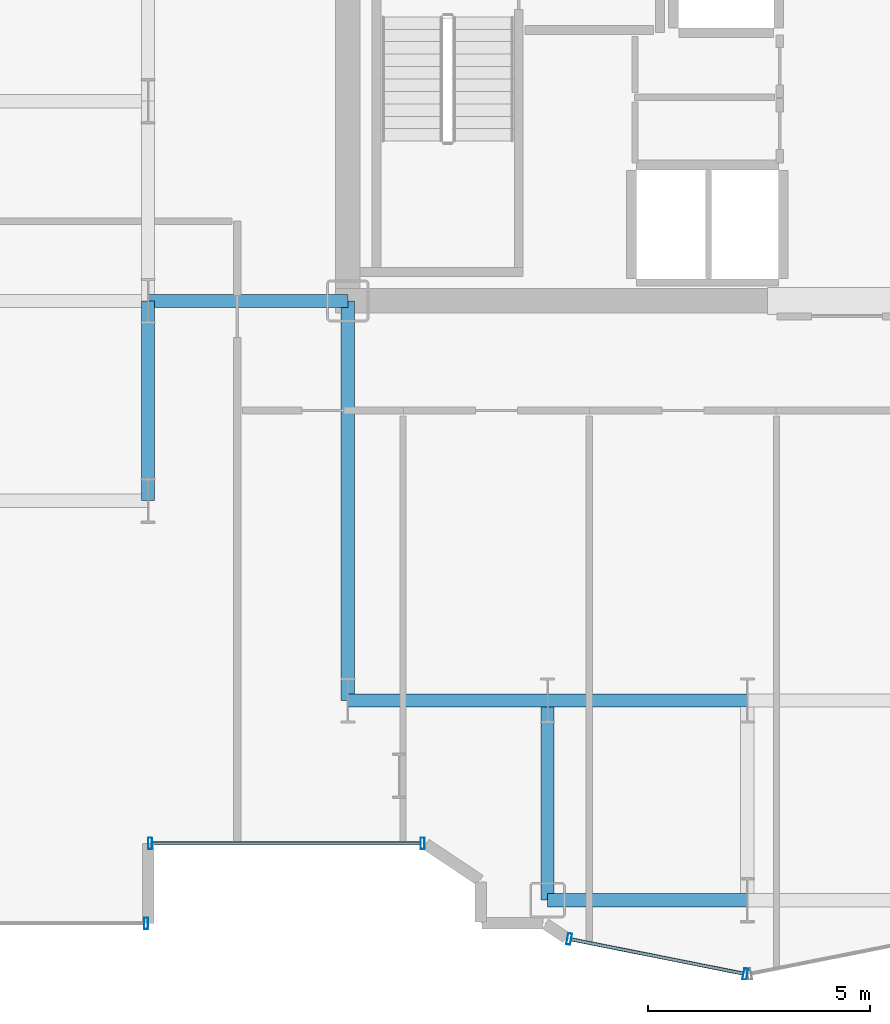
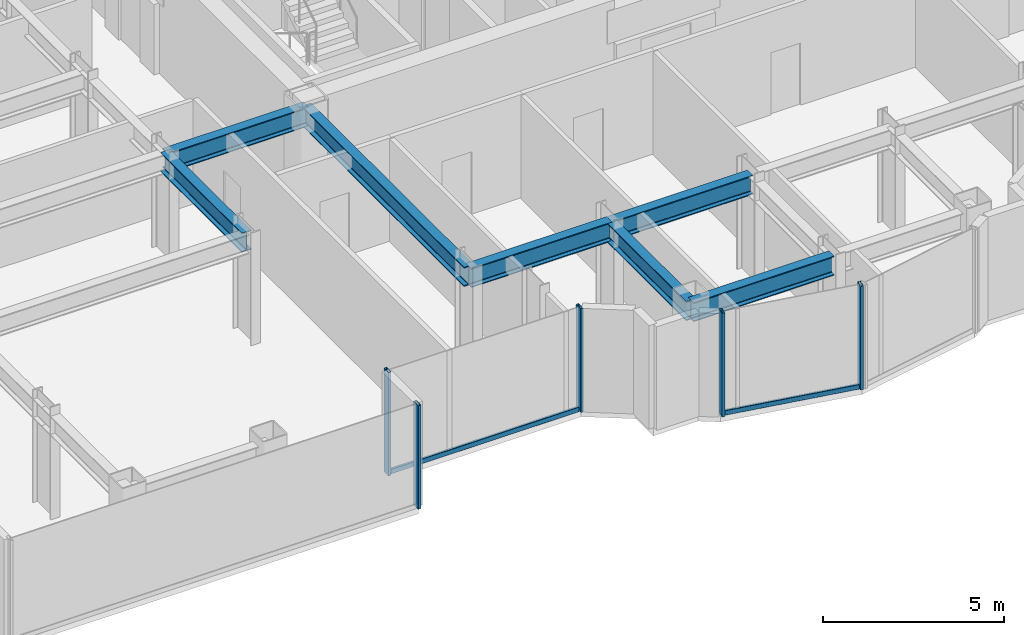
# One storey, part 4 of 26: 7 beams, 7 members, 3 elements without a shape of their own.
"""IFC4 building model written with IfcOpenShell, lengths in metres."""

from ifc_helpers import new_model, si_unit, direction, frame, origin, origin_2d, place, context, subcontext, project, spatial, hollow_rectangle, i_section, extrude, source, transform, mapped, material, layer, layer_set, material_profile, profile_set, type_object, element, aggregate, save


model = new_model("IFC4")

# Units and contexts
model_context = context("Model", 3, precision=1e-05, world=origin(), true_north=direction((0.0, 1.0)))
body_context = subcontext(model_context, "Body", "Model", "MODEL_VIEW")
ifc_project = project(units=[si_unit("LENGTHUNIT", "METRE"), si_unit("AREAUNIT", "SQUARE_METRE"), si_unit("VOLUMEUNIT", "CUBIC_METRE"), si_unit("PLANEANGLEUNIT", "RADIAN"), si_unit("MASSUNIT", "GRAM", prefix="KILO")], contexts=[model_context])

# Site, building, storey
site_placement = place(None, origin())
site = spatial("IfcSite", under=ifc_project, at=site_placement, CompositionType="ELEMENT")
building_placement = place(site_placement, origin())
building = spatial("IfcBuilding", under=site, at=building_placement, Name="Nefas-Gora Pilgrimage Tower", CompositionType="ELEMENT")
storey_placement = place(building_placement, frame((0.0, 0.0, 140.199951171875)))
storey = spatial("IfcBuildingStorey", under=building, at=storey_placement, Name="L34", CompositionType="ELEMENT", Elevation=140.199951171875)

# Beams
ifc_material_1 = material(Name="Steel S355", Category="steel")
ifc_material_profile_1 = material_profile(ifc_material_1, i_section(OverallWidth=0.300048828125, OverallDepth=0.64990234375, WebThickness=0.01611328125, FlangeThickness=0.031005859375, FilletRadius=0.027099609375, at=origin_2d()), Name="HEB 650")
ifc_profile_set_1 = profile_set([ifc_material_profile_1], Name="Steel S355")
beam_type = type_object("IfcBeamType", Name="BM-GIR-HEB650", PredefinedType="BEAM", material=ifc_profile_set_1)
shared_shape_1 = source(origin(), body_context, "Body", "SweptSolid", [
    extrude(i_section(OverallWidth=0.300048828125, OverallDepth=0.64990234375, WebThickness=0.01611328125, FlangeThickness=0.031005859375, FilletRadius=0.027099609375, at=origin_2d()), origin(), (0.0, 0.0, 1.0), 9.0),
])
beam_placement = place(storey_placement, frame((-11.25, -18.0, 3.175048828125), z_axis=(0.0, 1.0, 0.0), x_axis=(-1.0, 0.0, 0.0)))
element("IfcBeam", 1, at=beam_placement, inside=storey, type_object=beam_type, Name="L34 G-03 beam", PredefinedType="BEAM", context=body_context, shape_type="MappedRepresentation", body=[
    mapped(shared_shape_1, transform((0.0, 0.0, 0.0), x_axis=(1.0, 0.0, 0.0), y_axis=(0.0, 1.0, 0.0), z_axis=(0.0, 0.0, 1.0), scale=1.0)),
])
shared_shape_2 = source(origin(), body_context, "Body", "SweptSolid", [
    extrude(i_section(OverallWidth=0.300048828125, OverallDepth=0.64990234375, WebThickness=0.01611328125, FlangeThickness=0.031005859375, FilletRadius=0.027099609375, at=origin_2d()), origin(), (0.0, 0.0, 1.0), 4.5),
])
for number, where, z_axis, x_axis, name in (
    (2, (-15.75, -13.5, 3.175048828125), (0.0, 1.0, 0.0), (-1.0, 0.0, 0.0), "L34 G-03 beam"),
    (3, (-15.75, -9.0, 3.175048828125), (1.0, 0.0, 0.0), (0.0, 1.0, 0.0), "L34 G-03 beam"),
    (4, (-11.25, -18.0, 3.175048828125), (1.0, 0.0, 0.0), (0.0, 1.0, 0.0), "L34 G-03 beam"),
    (5, (-6.75, -22.5, 3.175048828125), (0.0, 1.0, 0.0), (-1.0, 0.0, 0.0), "L34 G-03 beam"),
    (6, (-6.75, -22.5, 3.175048828125), (1.0, 0.0, 0.0), (0.0, 1.0, 0.0), "L34 G-03 beam"),
    (7, (-6.75, -18.0, 3.175048828125), (1.0, 0.0, 0.0), (0.0, 1.0, 0.0), "L34 G-03 beam"),
):
    element("IfcBeam", number, at=place(storey_placement, frame(where, z_axis=z_axis, x_axis=x_axis)), inside=storey, type_object=beam_type, Name=name, PredefinedType="BEAM", context=body_context, shape_type="MappedRepresentation", body=[
        mapped(shared_shape_2, transform((0.0, 0.0, 0.0), x_axis=(1.0, 0.0, 0.0), y_axis=(0.0, 1.0, 0.0), z_axis=(0.0, 0.0, 1.0), scale=1.0)),
    ])

# Curtain wall, member
ifc_material_2 = material(Name="Dark ceramic-fritted solar-control aluminium-glass curtain wall", Category="aluminium")
ifc_layer_1 = layer(ifc_material_2, 0.219970703125)
ifc_layer_set_1 = layer_set([ifc_layer_1], Name="Dark ceramic-fritted solar-control aluminium-glass curtain wall")
curtain_wall_type_1 = type_object("IfcCurtainWallType", Name="CW-SYS-5", PredefinedType="NOTDEFINED", material=ifc_layer_set_1)
curtain_wall_1_placement = place(storey_placement, origin())
curtain_wall_1 = element("IfcCurtainWall", 8, at=curtain_wall_1_placement, inside=storey, type_object=curtain_wall_type_1, Name="L34 Unitised Curtain Wall CW5", PredefinedType="NOTDEFINED")
ifc_material_3 = material(Name="Anodised architectural aluminium", Category="aluminium")
ifc_material_profile_2 = material_profile(ifc_material_3, hollow_rectangle(XDim=0.080078125, YDim=0.159912109375, WallThickness=0.00439453125, InnerFilletRadius=0.00439453125, OuterFilletRadius=0.009033203125, at=origin_2d()), Name="ALU TRANSOM 80x160")
ifc_profile_set_2 = profile_set([ifc_material_profile_2], Name="Anodised architectural aluminium")
member_type_1 = type_object("IfcMemberType", Name="CWM-TRN-5", PredefinedType="USERDEFINED", material=ifc_profile_set_2)
shared_shape_3 = source(origin(), body_context, "Body", "SweptSolid", [
    extrude(hollow_rectangle(XDim=0.080078125, YDim=0.159912109375, WallThickness=0.00439453125, InnerFilletRadius=0.00439453125, OuterFilletRadius=0.009033203125, at=origin_2d()), origin(), (0.0, 0.0, 1.0), 6.052001953125),
])
member_1_placement = place(storey_placement, frame((-15.659912109375, -21.219970703125, 0.050048828125), z_axis=(1.0, 0.0, 0.0), x_axis=(0.0, 1.0, 0.0)))
member_1 = element("IfcMember", 9, at=member_1_placement, type_object=member_type_1, Name="CW5 Spandrel Transom", ObjectType="TRANSOM", PredefinedType="USERDEFINED", context=body_context, shape_type="MappedRepresentation", body=[
    mapped(shared_shape_3, transform((0.0, 0.0, 0.0), x_axis=(1.0, 0.0, 0.0), y_axis=(0.0, 1.0, 0.0), z_axis=(0.0, 0.0, 1.0), scale=1.0)),
])

curtain_wall_2_placement = place(storey_placement, origin())
curtain_wall_2 = element("IfcCurtainWall", 10, at=curtain_wall_2_placement, inside=storey, type_object=curtain_wall_type_1, Name="L34 Unitised Curtain Wall CW5", PredefinedType="NOTDEFINED")
shared_shape_4 = source(origin(), body_context, "Body", "SweptSolid", [
    extrude(hollow_rectangle(XDim=0.080078125, YDim=0.159912109375, WallThickness=0.00439453125, InnerFilletRadius=0.00439453125, OuterFilletRadius=0.009033203125, at=origin_2d()), origin(), (0.0, 0.0, 1.0), 3.95654296875),
])
member_2_placement = place(storey_placement, frame((-6.218994140625, -23.3828125, 0.050048828125), z_axis=(0.980781880918, -0.195107411605, 0.0), x_axis=(0.195107411605, 0.980781880918, 0.0)))
member_2 = element("IfcMember", 11, at=member_2_placement, type_object=member_type_1, Name="CW5 Spandrel Transom", ObjectType="TRANSOM", PredefinedType="USERDEFINED", context=body_context, shape_type="MappedRepresentation", body=[
    mapped(shared_shape_4, transform((0.0, 0.0, 0.0), x_axis=(1.0, 0.0, 0.0), y_axis=(0.0, 1.0, 0.0), z_axis=(0.0, 0.0, 1.0), scale=1.0)),
])

# Member
ifc_material_profile_3 = material_profile(ifc_material_3, hollow_rectangle(XDim=0.090087890625, YDim=0.260009765625, WallThickness=0.006103515625, InnerFilletRadius=0.006103515625, OuterFilletRadius=0.011962890625, at=origin_2d()), Name="ALU MULLION 90x260")
ifc_profile_set_3 = profile_set([ifc_material_profile_3], Name="Anodised architectural aluminium")
member_type_2 = type_object("IfcMemberType", Name="CWM-MUL-5", PredefinedType="MULLION", material=ifc_profile_set_3)
shared_shape_5 = source(origin(), body_context, "Body", "SweptSolid", [
    extrude(hollow_rectangle(XDim=0.090087890625, YDim=0.260009765625, WallThickness=0.006103515625, InnerFilletRadius=0.006103515625, OuterFilletRadius=0.011962890625, at=origin_2d()), origin(), (0.0, 0.0, 1.0), 3.5),
])
member_3_placement = place(storey_placement, frame((-15.705078125, -21.219970703125, 0.0), z_axis=(0.0, 0.0, 1.0), x_axis=(1.0, 0.0, 0.0)))
member_3 = element("IfcMember", 12, at=member_3_placement, type_object=member_type_2, Name="CW5 Mullion 1", PredefinedType="MULLION", context=body_context, shape_type="MappedRepresentation", body=[
    mapped(shared_shape_5, transform((0.0, 0.0, 0.0), x_axis=(1.0, 0.0, 0.0), y_axis=(0.0, 1.0, 0.0), z_axis=(0.0, 0.0, 1.0), scale=1.0)),
])

member_4_placement = place(storey_placement, frame((-9.56298828125, -21.219970703125, 0.0), z_axis=(0.0, 0.0, 1.0), x_axis=(1.0, 0.0, 0.0)))
member_4 = element("IfcMember", 13, at=member_4_placement, type_object=member_type_2, Name="CW5 Mullion 2", PredefinedType="MULLION", context=body_context, shape_type="MappedRepresentation", body=[
    mapped(shared_shape_5, transform((0.0, 0.0, 0.0), x_axis=(1.0, 0.0, 0.0), y_axis=(0.0, 1.0, 0.0), z_axis=(0.0, 0.0, 1.0), scale=1.0)),
])

aggregate(curtain_wall_1, [member_3, member_4, member_1])

member_5_placement = place(storey_placement, frame((-6.26318359375, -23.3740234375, 0.0), z_axis=(0.0, 0.0, 1.0), x_axis=(0.980782896852, -0.195102304554, 0.0)))
member_5 = element("IfcMember", 14, at=member_5_placement, type_object=member_type_2, Name="CW5 Mullion 1", PredefinedType="MULLION", context=body_context, shape_type="MappedRepresentation", body=[
    mapped(shared_shape_5, transform((0.0, 0.0, 0.0), x_axis=(1.0, 0.0, 0.0), y_axis=(0.0, 1.0, 0.0), z_axis=(0.0, 0.0, 1.0), scale=1.0)),
])

member_6_placement = place(storey_placement, frame((-2.294189453125, -24.16357421875, 0.0), z_axis=(0.0, 0.0, 1.0), x_axis=(0.980782896852, -0.195102304554, 0.0)))
member_6 = element("IfcMember", 15, at=member_6_placement, type_object=member_type_2, Name="CW5 Mullion 2", PredefinedType="MULLION", context=body_context, shape_type="MappedRepresentation", body=[
    mapped(shared_shape_5, transform((0.0, 0.0, 0.0), x_axis=(1.0, 0.0, 0.0), y_axis=(0.0, 1.0, 0.0), z_axis=(0.0, 0.0, 1.0), scale=1.0)),
])

aggregate(curtain_wall_2, [member_5, member_6, member_2])

# Curtain wall, member
ifc_layer_2 = layer(ifc_material_2, 0.219970703125)
ifc_layer_set_2 = layer_set([ifc_layer_2], Name="Dark ceramic-fritted solar-control aluminium-glass curtain wall")
curtain_wall_type_2 = type_object("IfcCurtainWallType", Name="CW-SYS-2", PredefinedType="NOTDEFINED", material=ifc_layer_set_2)
curtain_wall_3_placement = place(storey_placement, origin())
curtain_wall_3 = element("IfcCurtainWall", 16, at=curtain_wall_3_placement, inside=storey, type_object=curtain_wall_type_2, Name="L34 Unitised Curtain Wall CW2", PredefinedType="NOTDEFINED")
ifc_material_profile_4 = material_profile(ifc_material_3, hollow_rectangle(XDim=0.090087890625, YDim=0.260009765625, WallThickness=0.006103515625, InnerFilletRadius=0.006103515625, OuterFilletRadius=0.011962890625, at=origin_2d()), Name="ALU MULLION 90x260")
ifc_profile_set_4 = profile_set([ifc_material_profile_4], Name="Anodised architectural aluminium")
member_type_3 = type_object("IfcMemberType", Name="CWM-MUL-2", PredefinedType="MULLION", material=ifc_profile_set_4)
shared_shape_6 = source(origin(), body_context, "Body", "SweptSolid", [
    extrude(hollow_rectangle(XDim=0.090087890625, YDim=0.260009765625, WallThickness=0.006103515625, InnerFilletRadius=0.006103515625, OuterFilletRadius=0.011962890625, at=origin_2d()), origin(), (0.0, 0.0, 1.0), 3.5),
])
member_7_placement = place(storey_placement, frame((-15.794921875, -23.02001953125, 0.0), z_axis=(0.0, 0.0, 1.0), x_axis=(1.0, 0.0, 0.0)))
member_7 = element("IfcMember", 17, at=member_7_placement, type_object=member_type_3, Name="CW2 Mullion 2", PredefinedType="MULLION", context=body_context, shape_type="MappedRepresentation", body=[
    mapped(shared_shape_6, transform((0.0, 0.0, 0.0), x_axis=(1.0, 0.0, 0.0), y_axis=(0.0, 1.0, 0.0), z_axis=(0.0, 0.0, 1.0), scale=1.0)),
])
aggregate(curtain_wall_3, [member_7])

save(model, "model.ifc")
